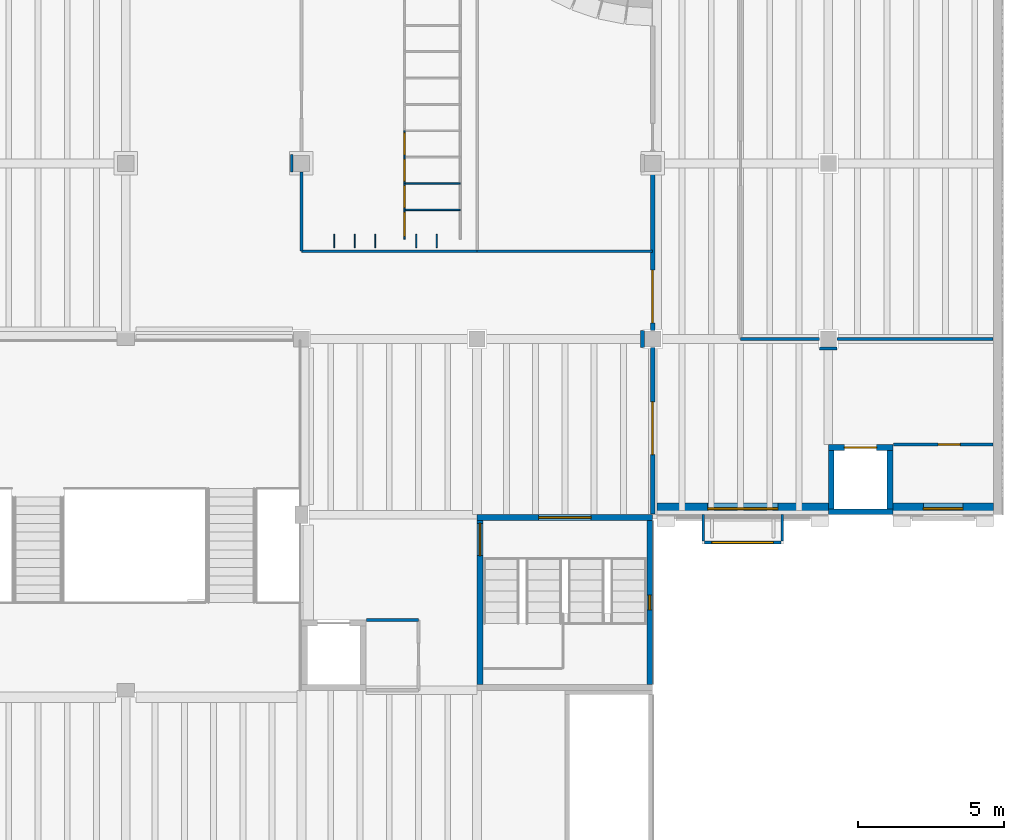
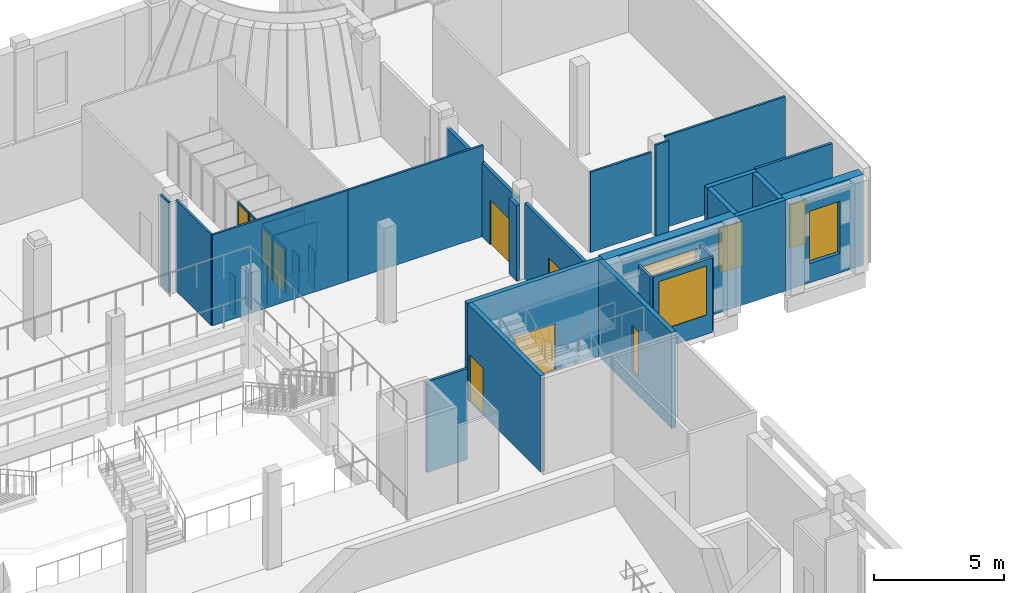
# One storey, part 33 of 70: 35 walls, 10 doors, 4 windows, 14 openings.
"""IFC4 building model written with IfcOpenShell, lengths in metres."""

from ifc_helpers import new_model, si_unit, direction, frame, frame_2d, origin, place, context, subcontext, project, spatial, rectangle, extrude, material, layer, layer_set, type_object, element, fill, save


model = new_model("IFC4")

# Units and contexts
model_context = context("Model", 3, precision=1e-05, world=origin(), true_north=direction((0.0, 1.0)))
body_context = subcontext(model_context, "Body", "Model", "MODEL_VIEW")
ifc_project = project(units=[si_unit("LENGTHUNIT", "METRE"), si_unit("AREAUNIT", "SQUARE_METRE"), si_unit("VOLUMEUNIT", "CUBIC_METRE"), si_unit("PLANEANGLEUNIT", "RADIAN"), si_unit("MASSUNIT", "GRAM", prefix="KILO")], contexts=[model_context])

# Site, building, storey
site_placement = place(None, origin())
site = spatial("IfcSite", under=ifc_project, at=site_placement, CompositionType="ELEMENT")
building_placement = place(site_placement, origin())
building = spatial("IfcBuilding", under=site, at=building_placement, Name="Saffron Lane Theatres", CompositionType="ELEMENT")
storey_placement = place(building_placement, frame((0.0, 0.0, 12.0)))
storey = spatial("IfcBuildingStorey", under=building, at=storey_placement, Name="L02", CompositionType="ELEMENT", Elevation=12.0)

# Walls
ifc_material_1 = material(Name="Timber hardwood", Category="wood")
ifc_layer_1 = layer(ifc_material_1, 0.10009765625)
ifc_layer_set_1 = layer_set([ifc_layer_1], Name="Timber hardwood")
wall_type_1 = type_object("IfcWallType", Name="EX-CUMBA PANEL 100", PredefinedType="SOLIDWALL", material=ifc_layer_set_1)
for number, where, z_axis, x_axis, name in (
    (1, (58.425048828125, 102.0, 0.0), (0.0, 0.0, 1.0), (0.0, -1.0, 0.0), "Cumba bay 4 side"),
    (2, (55.72509765625, 102.0, 0.0), (0.0, 0.0, 1.0), (0.0, -1.0, 0.0), "Cumba bay 4 side"),
):
    element("IfcWall", number, at=place(storey_placement, frame(where, z_axis=z_axis, x_axis=x_axis)), inside=storey, type_object=wall_type_1, Name=name, PredefinedType="SOLIDWALL", context=body_context, shape_type="SweptSolid", body=[
        extrude(rectangle(XDim=0.89990234375, YDim=0.10009765625, at=frame_2d((0.449951171875, 0.0))), origin(), (0.0, 0.0, 1.0), 3.5),
    ])

# Wall, opening, window
wall_1_placement = place(storey_placement, frame((58.375, 101.050048828125, 0.0), z_axis=(0.0, 0.0, 1.0), x_axis=(-1.0, 0.0, 0.0)))
wall_1 = element("IfcWall", 3, at=wall_1_placement, inside=storey, type_object=wall_type_1, Name="Cumba bay 4 front", PredefinedType="SOLIDWALL", context=body_context, shape_type="SweptSolid", body=[
    extrude(rectangle(XDim=2.60009765625, YDim=0.10009765625, at=frame_2d((1.300048828125, 0.0))), origin(), (0.0, 0.0, 1.0), 3.5),
])
opening_1_placement = place(wall_1_placement, frame((0.25, 0.0, 0.89990234375)))
opening_1 = element("IfcOpeningElement", 4, at=opening_1_placement, cuts=wall_1, Name="Opening WN02-040", PredefinedType="OPENING", context=body_context, shape_type="SweptSolid", body=[
    extrude(rectangle(XDim=2.10009765625, YDim=2.300048828125, at=frame_2d((1.050048828125, 1.14990234375))), frame((0.0, 0.06005859375, 0.0), z_axis=(0.0, -1.0, 0.0), x_axis=(1.0, 0.0, 0.0)), (0.0, 0.0, 1.0), 0.1201171875),
])
ifc_material_2 = material(Name="Aluminium", Category="aluminium")
window_type_1 = type_object("IfcWindowType", Name="EX-WINDOW 2100x2300", PartitioningType="TRIPLE_PANEL_VERTICAL", PredefinedType="WINDOW", material=ifc_material_2)
window_1_placement = place(opening_1_placement, origin())
window_1 = element("IfcWindow", 5, at=window_1_placement, inside=storey, type_object=window_type_1, Name="Window L02 CB4 front", OverallHeight=2.300048828125, OverallWidth=2.10009765625, PartitioningType="SINGLE_PANEL", PredefinedType="WINDOW", context=body_context, shape_type="SweptSolid", body=[
    extrude(rectangle(XDim=2.10009765625, YDim=2.300048828125, at=frame_2d((1.050048828125, 1.14990234375))), frame((0.0, 0.030029296875, 0.0), z_axis=(0.0, -1.0, 0.0), x_axis=(1.0, 0.0, 0.0)), (0.0, 0.0, 1.0), 0.06005859375),
])
fill(opening_1, window_1)

ifc_material_3 = material(Name="Masonry pale clay brick", Category="masonry")
ifc_layer_2 = layer(ifc_material_3, 0.11, Name="facing leaf")
ifc_material_4 = material(Name="Air cavity", Category="air")
ifc_layer_3 = layer(ifc_material_4, 0.05, ventilated=True, Name="cavity")
ifc_material_5 = material(Name="Mineral wool insulation")
ifc_layer_4 = layer(ifc_material_5, 0.06, Name="insulation")
ifc_material_6 = material(Name="Concrete N40 (40 MPa)", Category="concrete")
ifc_layer_5 = layer(ifc_material_6, 0.18, Name="inner leaf")
ifc_layer_set_2 = layer_set([ifc_layer_2, ifc_layer_3, ifc_layer_4, ifc_layer_5], Name="Masonry pale clay brick")
wall_type_2 = type_object("IfcWallType", Name="EX-WALL BRICK 400", PredefinedType="SOLIDWALL", material=ifc_layer_set_2)
wall_2_placement = place(storey_placement, frame((65.639892578125, 102.199951171875, 0.0), z_axis=(0.0, 0.0, 1.0), x_axis=(-1.0, 0.0, 0.0)))
wall_2 = element("IfcWall", 6, at=wall_2_placement, inside=storey, type_object=wall_type_2, Name="External wall L02 18", PredefinedType="SOLIDWALL", context=body_context, shape_type="SweptSolid", body=[
    extrude(rectangle(XDim=3.43994140625, YDim=0.39990234375, at=frame_2d((1.719970703125, 0.0))), origin(), (0.0, 0.0, 1.0), 4.25),
])
opening_2_placement = place(wall_2_placement, frame((1.044921875, 0.0, 0.89990234375)))
opening_2 = element("IfcOpeningElement", 7, at=opening_2_placement, cuts=wall_2, Name="Opening WN02-017", PredefinedType="OPENING", context=body_context, shape_type="SweptSolid", body=[
    extrude(rectangle(XDim=1.35009765625, YDim=2.449951171875, at=frame_2d((0.675048828125, 1.22509765625))), frame((0.0, 0.2099609375, 0.0), z_axis=(0.0, -1.0, 0.0), x_axis=(1.0, 0.0, 0.0)), (0.0, 0.0, 1.0), 0.419921875),
])
ifc_material_7 = material(Name="Aluminium", Category="aluminium")
window_type_2 = type_object("IfcWindowType", Name="EX-WINDOW 1350x2450", PartitioningType="SINGLE_PANEL", PredefinedType="WINDOW", material=ifc_material_7)
window_2_placement = place(opening_2_placement, origin())
window_2 = element("IfcWindow", 8, at=window_2_placement, inside=storey, type_object=window_type_2, Name="Window L02 017", OverallHeight=2.449951171875, OverallWidth=1.35009765625, PartitioningType="SINGLE_PANEL", PredefinedType="WINDOW", context=body_context, shape_type="SweptSolid", body=[
    extrude(rectangle(XDim=1.35009765625, YDim=2.449951171875, at=frame_2d((0.675048828125, 1.22509765625))), frame((0.0, 0.030029296875, 0.0), z_axis=(0.0, -1.0, 0.0), x_axis=(1.0, 0.0, 0.0)), (0.0, 0.0, 1.0), 0.06005859375),
])
fill(opening_2, window_2)

wall_3_placement = place(storey_placement, frame((60.0, 102.199951171875, 0.0), z_axis=(0.0, 0.0, 1.0), x_axis=(-1.0, 0.0, 0.0)))
wall_3 = element("IfcWall", 9, at=wall_3_placement, inside=storey, type_object=wall_type_2, Name="External wall L02 19", PredefinedType="SOLIDWALL", context=body_context, shape_type="SweptSolid", body=[
    extrude(rectangle(XDim=5.85009765625, YDim=0.39990234375, at=frame_2d((2.925048828125, 0.0))), origin(), (0.0, 0.0, 1.0), 4.25),
])
opening_3_placement = place(wall_3_placement, frame((1.72509765625, 0.0, 0.89990234375)))
opening_3 = element("IfcOpeningElement", 10, at=opening_3_placement, cuts=wall_3, Name="Opening WN02-039", PredefinedType="OPENING", context=body_context, shape_type="SweptSolid", body=[
    extrude(rectangle(XDim=2.39990234375, YDim=2.449951171875, at=frame_2d((1.199951171875, 1.22509765625))), frame((0.0, 0.2099609375, 0.0), z_axis=(0.0, -1.0, 0.0), x_axis=(1.0, 0.0, 0.0)), (0.0, 0.0, 1.0), 0.419921875),
])
ifc_material_8 = material(Name="Aluminium", Category="aluminium")
window_type_3 = type_object("IfcWindowType", Name="EX-WINDOW 2400x2450", PartitioningType="TRIPLE_PANEL_VERTICAL", PredefinedType="WINDOW", material=ifc_material_8)
window_3_placement = place(opening_3_placement, origin())
window_3 = element("IfcWindow", 11, at=window_3_placement, inside=storey, type_object=window_type_3, Name="Window L02 CB4", OverallHeight=2.449951171875, OverallWidth=2.39990234375, PartitioningType="SINGLE_PANEL", PredefinedType="WINDOW", context=body_context, shape_type="SweptSolid", body=[
    extrude(rectangle(XDim=2.39990234375, YDim=2.449951171875, at=frame_2d((1.199951171875, 1.22509765625))), frame((0.0, 0.030029296875, 0.0), z_axis=(0.0, -1.0, 0.0), x_axis=(1.0, 0.0, 0.0)), (0.0, 0.0, 1.0), 0.06005859375),
])
fill(opening_3, window_3)

# Wall
ifc_material_9 = material(Name="Masonry block partition", Category="masonry")
ifc_layer_6 = layer(ifc_material_9, 0.110107421875)
ifc_layer_set_3 = layer_set([ifc_layer_6], Name="Masonry block partition")
wall_type_3 = type_object("IfcWallType", Name="IN-BLOCK PARTITION 110", PredefinedType="PARTITIONING", material=ifc_layer_set_3)
wall_4_placement = place(storey_placement, frame((44.219970703125, 98.39990234375, 0.0), z_axis=(0.0, 0.0, 1.0), x_axis=(1.0, 0.0, 0.0)))
element("IfcWall", 12, at=wall_4_placement, inside=storey, type_object=wall_type_3, Name="PW-L02-011", PredefinedType="PARTITIONING", context=body_context, shape_type="SweptSolid", body=[
    extrude(rectangle(XDim=1.780029296875, YDim=0.110107421875, at=frame_2d((0.89013671875, 0.0))), origin(), (0.0, 0.0, 1.0), 4.25),
])

# Wall, opening, door
wall_5_placement = place(storey_placement, frame((62.219970703125, 104.39990234375, 0.0), z_axis=(0.0, 0.0, 1.0), x_axis=(1.0, 0.0, 0.0)))
wall_5 = element("IfcWall", 13, at=wall_5_placement, inside=storey, type_object=wall_type_3, Name="PW-L02-036", PredefinedType="PARTITIONING", context=body_context, shape_type="SweptSolid", body=[
    extrude(rectangle(XDim=3.400146484375, YDim=0.110107421875, at=frame_2d((1.7001953125, 0.0))), origin(), (0.0, 0.0, 1.0), 4.280029296875),
])
opening_4_placement = place(wall_5_placement, frame((1.530029296875, 0.0, 0.0)))
opening_4 = element("IfcOpeningElement", 14, at=opening_4_placement, cuts=wall_5, Name="Opening D02-40", PredefinedType="OPENING", context=body_context, shape_type="SweptSolid", body=[
    extrude(rectangle(XDim=0.75, YDim=2.0400390625, at=frame_2d((0.375, 1.02001953125))), frame((0.0, 0.06494140625, 0.0), z_axis=(0.0, -1.0, 0.0), x_axis=(1.0, 0.0, 0.0)), (0.0, 0.0, 1.0), 0.130126953125),
])
ifc_material_10 = material(Name="Steel faced fire door leaf", Category="steel")
door_type_1 = type_object("IfcDoorType", Name="IN-DOOR 750x2040 FD60", OperationType="NOTDEFINED", PredefinedType="DOOR", material=ifc_material_10)
door_1_placement = place(opening_4_placement, frame((0.75, 0.0, 0.0), z_axis=(0.0, 0.0, 1.0), x_axis=(-1.0, 0.0, 0.0)))
door_1 = element("IfcDoor", 15, at=door_1_placement, inside=storey, type_object=door_type_1, Name="D02-40", OperationType="SINGLE_SWING_RIGHT", OverallHeight=2.0400390625, OverallWidth=0.75, PredefinedType="DOOR", context=body_context, shape_type="SweptSolid", body=[
    extrude(rectangle(XDim=0.75, YDim=2.0400390625, at=frame_2d((0.375, 1.02001953125))), frame((0.0, 0.02490234375, 0.0), z_axis=(0.0, -1.0, 0.0), x_axis=(1.0, 0.0, 0.0)), (0.0, 0.0, 1.0), 0.050048828125),
])
fill(opening_4, door_1)

ifc_material_11 = material(Name="Masonry block partition", Category="masonry")
ifc_layer_7 = layer(ifc_material_11, 0.139892578125)
ifc_layer_set_4 = layer_set([ifc_layer_7], Name="Masonry block partition")
wall_type_4 = type_object("IfcWallType", Name="IN-BLOCK PARTITION 140", PredefinedType="PARTITIONING", material=ifc_layer_set_4)
wall_6_placement = place(storey_placement, frame((54.0, 102.02001953125, 0.0), z_axis=(0.0, 0.0, 1.0), x_axis=(0.0, 1.0, 0.0)))
wall_6 = element("IfcWall", 16, at=wall_6_placement, inside=storey, type_object=wall_type_4, Name="PW-L02-044", PredefinedType="PARTITIONING", context=body_context, shape_type="SweptSolid", body=[
    extrude(rectangle(XDim=5.68505859375, YDim=0.139892578125, at=frame_2d((2.842529296875, 0.0))), origin(), (0.0, 0.0, 1.0), 3.550048828125),
])
opening_5_placement = place(wall_6_placement, frame((2.030029296875, 0.0, 0.0)))
opening_5 = element("IfcOpeningElement", 17, at=opening_5_placement, cuts=wall_6, Name="Opening D02-46", PredefinedType="OPENING", context=body_context, shape_type="SweptSolid", body=[
    extrude(rectangle(XDim=1.800048828125, YDim=2.10009765625, at=frame_2d((0.89990234375, 1.050048828125))), frame((0.0, 0.080078125, 0.0), z_axis=(0.0, -1.0, 0.0), x_axis=(1.0, 0.0, 0.0)), (0.0, 0.0, 1.0), 0.159912109375),
])
ifc_material_12 = material(Name="Steel faced fire door leaf", Category="steel")
door_type_2 = type_object("IfcDoorType", Name="IN-DOOR 1800x2100 FD120", OperationType="DOUBLE_DOOR_SINGLE_SWING", PredefinedType="DOOR", material=ifc_material_12)
door_2_placement = place(opening_5_placement, origin())
door_2 = element("IfcDoor", 18, at=door_2_placement, inside=storey, type_object=door_type_2, Name="D02-46", OperationType="DOUBLE_DOOR_SINGLE_SWING", OverallHeight=2.10009765625, OverallWidth=1.800048828125, PredefinedType="DOOR", context=body_context, shape_type="SweptSolid", body=[
    extrude(rectangle(XDim=1.800048828125, YDim=2.10009765625, at=frame_2d((0.89990234375, 1.050048828125))), frame((0.0, 0.02490234375, 0.0), z_axis=(0.0, -1.0, 0.0), x_axis=(1.0, 0.0, 0.0)), (0.0, 0.0, 1.0), 0.050048828125),
])
fill(opening_5, door_2)

wall_7_placement = place(storey_placement, frame((54.0, 108.294921875, 0.0), z_axis=(0.0, 0.0, 1.0), x_axis=(0.0, 1.0, 0.0)))
wall_7 = element("IfcWall", 19, at=wall_7_placement, inside=storey, type_object=wall_type_4, Name="PW-L02-045", PredefinedType="PARTITIONING", context=body_context, shape_type="SweptSolid", body=[
    extrude(rectangle(XDim=5.41015625, YDim=0.139892578125, at=frame_2d((2.705078125, 0.0))), origin(), (0.0, 0.0, 1.0), 3.449951171875),
])
opening_6_placement = place(wall_7_placement, frame((0.2548828125, 0.0, 0.0)))
opening_6 = element("IfcOpeningElement", 20, at=opening_6_placement, cuts=wall_7, Name="Opening D02-47", PredefinedType="OPENING", context=body_context, shape_type="SweptSolid", body=[
    extrude(rectangle(XDim=1.800048828125, YDim=2.10009765625, at=frame_2d((0.89990234375, 1.050048828125))), frame((0.0, 0.080078125, 0.0), z_axis=(0.0, -1.0, 0.0), x_axis=(1.0, 0.0, 0.0)), (0.0, 0.0, 1.0), 0.159912109375),
])
door_3_placement = place(opening_6_placement, origin())
door_3 = element("IfcDoor", 21, at=door_3_placement, inside=storey, type_object=door_type_2, Name="D02-47", OperationType="DOUBLE_DOOR_SINGLE_SWING", OverallHeight=2.10009765625, OverallWidth=1.800048828125, PredefinedType="DOOR", context=body_context, shape_type="SweptSolid", body=[
    extrude(rectangle(XDim=1.800048828125, YDim=2.10009765625, at=frame_2d((0.89990234375, 1.050048828125))), frame((0.0, 0.02490234375, 0.0), z_axis=(0.0, -1.0, 0.0), x_axis=(1.0, 0.0, 0.0)), (0.0, 0.0, 1.0), 0.050048828125),
])
fill(opening_6, door_3)

# Walls
wall_8_placement = place(storey_placement, frame((53.64990234375, 107.705078125, 0.0), z_axis=(0.0, 0.0, 1.0), x_axis=(0.0, 1.0, 0.0)))
element("IfcWall", 22, at=wall_8_placement, inside=storey, type_object=wall_type_4, Name="PW-L02-047", PredefinedType="PARTITIONING", context=body_context, shape_type="SweptSolid", body=[
    extrude(rectangle(XDim=0.58984375, YDim=0.139892578125, at=frame_2d((0.294921875, 0.0))), origin(), (0.0, 0.0, 1.0), 3.550048828125),
])
ifc_material_13 = material(Name="Laminate cubicle panel")
ifc_layer_8 = layer(ifc_material_13, 0.050048828125)
ifc_layer_set_5 = layer_set([ifc_layer_8], Name="Laminate cubicle panel")
wall_type_5 = type_object("IfcWallType", Name="IN-CUBICLE PANEL 050", PredefinedType="PARTITIONING", material=ifc_layer_set_5)
for number, where, z_axis, x_axis, name in (
    (23, (45.52490234375, 112.4150390625, 0.0), (0.0, 0.0, 1.0), (1.0, 0.0, 0.0), "PW-L02-124"),
    (24, (45.52490234375, 113.31494140625, 0.0), (0.0, 0.0, 1.0), (1.0, 0.0, 0.0), "PW-L02-125"),
):
    element("IfcWall", number, at=place(storey_placement, frame(where, z_axis=z_axis, x_axis=x_axis)), inside=storey, type_object=wall_type_5, Name=name, PredefinedType="PARTITIONING", context=body_context, shape_type="SweptSolid", body=[
        extrude(rectangle(XDim=1.900146484375, YDim=0.050048828125, at=frame_2d((0.9501953125, 0.0))), origin(), (0.0, 0.0, 1.0), 2.10009765625),
    ])

# Wall, opening, door
wall_9_placement = place(storey_placement, frame((45.52490234375, 111.4150390625, 0.0), z_axis=(0.0, 0.0, 1.0), x_axis=(0.0, 1.0, 0.0)))
wall_9 = element("IfcWall", 25, at=wall_9_placement, inside=storey, type_object=wall_type_5, Name="PW-L02-133", PredefinedType="PARTITIONING", context=body_context, shape_type="SweptSolid", body=[
    extrude(rectangle(XDim=1.0, YDim=0.050048828125, at=frame_2d((0.5, 0.0))), origin(), (0.0, 0.0, 1.0), 2.10009765625),
])
opening_7_placement = place(wall_9_placement, frame((0.090087890625, 0.0, 0.0)))
opening_7 = element("IfcOpeningElement", 26, at=opening_7_placement, cuts=wall_9, Name="Opening D02-62", PredefinedType="OPENING", context=body_context, shape_type="SweptSolid", body=[
    extrude(rectangle(XDim=0.820068359375, YDim=2.0, at=frame_2d((0.41015625, 1.0))), frame((0.0, 0.03515625, 0.0), z_axis=(0.0, -1.0, 0.0), x_axis=(1.0, 0.0, 0.0)), (0.0, 0.0, 1.0), 0.070068359375),
])
ifc_material_14 = material(Name="Timber door leaf", Category="wood")
door_type_3 = type_object("IfcDoorType", Name="IN-DOOR 820x2000", OperationType="NOTDEFINED", PredefinedType="DOOR", material=ifc_material_14)
door_4_placement = place(opening_7_placement, frame((0.820068359375, 0.0, 0.0), z_axis=(0.0, 0.0, 1.0), x_axis=(-1.0, 0.0, 0.0)))
door_4 = element("IfcDoor", 27, at=door_4_placement, inside=storey, type_object=door_type_3, Name="D02-62", OperationType="SINGLE_SWING_RIGHT", OverallHeight=2.0, OverallWidth=0.820068359375, PredefinedType="DOOR", context=body_context, shape_type="SweptSolid", body=[
    extrude(rectangle(XDim=0.820068359375, YDim=2.0, at=frame_2d((0.41015625, 1.0))), frame((0.0, 0.02490234375, 0.0), z_axis=(0.0, -1.0, 0.0), x_axis=(1.0, 0.0, 0.0)), (0.0, 0.0, 1.0), 0.049560546875),
])
fill(opening_7, door_4)

wall_10_placement = place(storey_placement, frame((45.52490234375, 112.4150390625, 0.0), z_axis=(0.0, 0.0, 1.0), x_axis=(0.0, 1.0, 0.0)))
wall_10 = element("IfcWall", 28, at=wall_10_placement, inside=storey, type_object=wall_type_5, Name="PW-L02-134", PredefinedType="PARTITIONING", context=body_context, shape_type="SweptSolid", body=[
    extrude(rectangle(XDim=0.89990234375, YDim=0.050048828125, at=frame_2d((0.449951171875, 0.0))), origin(), (0.0, 0.0, 1.0), 2.10009765625),
])
opening_8_placement = place(wall_10_placement, frame((0.074951171875, 0.0, 0.0)))
opening_8 = element("IfcOpeningElement", 29, at=opening_8_placement, cuts=wall_10, Name="Opening D02-63", PredefinedType="OPENING", context=body_context, shape_type="SweptSolid", body=[
    extrude(rectangle(XDim=0.75, YDim=2.0, at=frame_2d((0.375, 1.0))), frame((0.0, 0.03515625, 0.0), z_axis=(0.0, -1.0, 0.0), x_axis=(1.0, 0.0, 0.0)), (0.0, 0.0, 1.0), 0.070068359375),
])
ifc_material_15 = material(Name="Timber door leaf", Category="wood")
door_type_4 = type_object("IfcDoorType", Name="IN-DOOR 750x2000", OperationType="NOTDEFINED", PredefinedType="DOOR", material=ifc_material_15)
door_5_placement = place(opening_8_placement, frame((0.75, 0.0, 0.0), z_axis=(0.0, 0.0, 1.0), x_axis=(-1.0, 0.0, 0.0)))
door_5 = element("IfcDoor", 30, at=door_5_placement, inside=storey, type_object=door_type_4, Name="D02-63", OperationType="SINGLE_SWING_LEFT", OverallHeight=2.0, OverallWidth=0.75, PredefinedType="DOOR", context=body_context, shape_type="SweptSolid", body=[
    extrude(rectangle(XDim=0.75, YDim=2.0, at=frame_2d((0.375, 1.0))), frame((0.0, 0.02490234375, 0.0), z_axis=(0.0, -1.0, 0.0), x_axis=(1.0, 0.0, 0.0)), (0.0, 0.0, 1.0), 0.049560546875),
])
fill(opening_8, door_5)

wall_11_placement = place(storey_placement, frame((45.52490234375, 113.31494140625, 0.0), z_axis=(0.0, 0.0, 1.0), x_axis=(0.0, 1.0, 0.0)))
wall_11 = element("IfcWall", 31, at=wall_11_placement, inside=storey, type_object=wall_type_5, Name="PW-L02-135", PredefinedType="PARTITIONING", context=body_context, shape_type="SweptSolid", body=[
    extrude(rectangle(XDim=0.900146484375, YDim=0.050048828125, at=frame_2d((0.4501953125, 0.0))), origin(), (0.0, 0.0, 1.0), 2.10009765625),
])
opening_9_placement = place(wall_11_placement, frame((0.074951171875, 0.0, 0.0)))
opening_9 = element("IfcOpeningElement", 32, at=opening_9_placement, cuts=wall_11, Name="Opening D02-64", PredefinedType="OPENING", context=body_context, shape_type="SweptSolid", body=[
    extrude(rectangle(XDim=0.75, YDim=2.0, at=frame_2d((0.375, 1.0))), frame((0.0, 0.03515625, 0.0), z_axis=(0.0, -1.0, 0.0), x_axis=(1.0, 0.0, 0.0)), (0.0, 0.0, 1.0), 0.070068359375),
])
door_6_placement = place(opening_9_placement, frame((0.75, 0.0, 0.0), z_axis=(0.0, 0.0, 1.0), x_axis=(-1.0, 0.0, 0.0)))
door_6 = element("IfcDoor", 33, at=door_6_placement, inside=storey, type_object=door_type_4, Name="D02-64", OperationType="SINGLE_SWING_RIGHT", OverallHeight=2.0, OverallWidth=0.75, PredefinedType="DOOR", context=body_context, shape_type="SweptSolid", body=[
    extrude(rectangle(XDim=0.75, YDim=2.0, at=frame_2d((0.375, 1.0))), frame((0.0, 0.02490234375, 0.0), z_axis=(0.0, -1.0, 0.0), x_axis=(1.0, 0.0, 0.0)), (0.0, 0.0, 1.0), 0.049560546875),
])
fill(opening_9, door_6)

wall_12_placement = place(storey_placement, frame((45.52490234375, 114.215087890625, 0.0), z_axis=(0.0, 0.0, 1.0), x_axis=(0.0, 1.0, 0.0)))
wall_12 = element("IfcWall", 34, at=wall_12_placement, inside=storey, type_object=wall_type_5, Name="PW-L02-136", PredefinedType="PARTITIONING", context=body_context, shape_type="SweptSolid", body=[
    extrude(rectangle(XDim=0.89990234375, YDim=0.050048828125, at=frame_2d((0.449951171875, 0.0))), origin(), (0.0, 0.0, 1.0), 2.10009765625),
])
opening_10_placement = place(wall_12_placement, frame((0.074951171875, 0.0, 0.0)))
opening_10 = element("IfcOpeningElement", 35, at=opening_10_placement, cuts=wall_12, Name="Opening D02-65", PredefinedType="OPENING", context=body_context, shape_type="SweptSolid", body=[
    extrude(rectangle(XDim=0.75, YDim=2.0, at=frame_2d((0.375, 1.0))), frame((0.0, 0.03515625, 0.0), z_axis=(0.0, -1.0, 0.0), x_axis=(1.0, 0.0, 0.0)), (0.0, 0.0, 1.0), 0.070068359375),
])
door_7_placement = place(opening_10_placement, frame((0.75, 0.0, 0.0), z_axis=(0.0, 0.0, 1.0), x_axis=(-1.0, 0.0, 0.0)))
door_7 = element("IfcDoor", 36, at=door_7_placement, inside=storey, type_object=door_type_4, Name="D02-65", OperationType="SINGLE_SWING_LEFT", OverallHeight=2.0, OverallWidth=0.75, PredefinedType="DOOR", context=body_context, shape_type="SweptSolid", body=[
    extrude(rectangle(XDim=0.75, YDim=2.0, at=frame_2d((0.375, 1.0))), frame((0.0, 0.02490234375, 0.0), z_axis=(0.0, -1.0, 0.0), x_axis=(1.0, 0.0, 0.0)), (0.0, 0.0, 1.0), 0.049560546875),
])
fill(opening_10, door_7)

# Walls
ifc_material_16 = material(Name="Plasterboard on 90 mm steel studs", Category="steel")
ifc_layer_9 = layer(ifc_material_16, 0.090087890625)
ifc_layer_set_6 = layer_set([ifc_layer_9], Name="Plasterboard on 90 mm steel studs")
wall_type_6 = type_object("IfcWallType", Name="IN-STUD PARTITION 090", PredefinedType="PARTITIONING", material=ifc_layer_set_6)
wall_13_placement = place(storey_placement, frame((42.0, 111.0, 0.0), z_axis=(0.0, 0.0, 1.0), x_axis=(1.0, 0.0, 0.0)))
element("IfcWall", 37, at=wall_13_placement, inside=storey, type_object=wall_type_6, Name="PW-L02-069", PredefinedType="PARTITIONING", context=body_context, shape_type="SweptSolid", body=[
    extrude(rectangle(XDim=6.0, YDim=0.090087890625, at=frame_2d((3.0, 0.0))), origin(), (0.0, 0.0, 1.0), 4.25),
])
wall_14_placement = place(storey_placement, frame((42.0, 111.0, 0.0), z_axis=(0.0, 0.0, 1.0), x_axis=(0.0, 1.0, 0.0)))
element("IfcWall", 38, at=wall_14_placement, inside=storey, type_object=wall_type_6, Name="PW-L02-070", PredefinedType="PARTITIONING", context=body_context, shape_type="SweptSolid", body=[
    extrude(rectangle(XDim=2.705078125, YDim=0.090087890625, at=frame_2d((1.3525390625, 0.0))), origin(), (0.0, 0.0, 1.0), 4.25),
])
wall_15_placement = place(storey_placement, frame((41.675048828125, 113.705078125, 0.0), z_axis=(0.0, 0.0, 1.0), x_axis=(0.0, 1.0, 0.0)))
element("IfcWall", 39, at=wall_15_placement, inside=storey, type_object=wall_type_6, Name="PW-L02-072", PredefinedType="PARTITIONING", context=body_context, shape_type="SweptSolid", body=[
    extrude(rectangle(XDim=0.58984375, YDim=0.090087890625, at=frame_2d((0.294921875, 0.0))), origin(), (0.0, 0.0, 1.0), 4.25),
])
wall_16_placement = place(storey_placement, frame((48.0, 111.0, 0.0), z_axis=(0.0, 0.0, 1.0), x_axis=(1.0, 0.0, 0.0)))
element("IfcWall", 40, at=wall_16_placement, inside=storey, type_object=wall_type_6, Name="PW-L02-073", PredefinedType="PARTITIONING", context=body_context, shape_type="SweptSolid", body=[
    extrude(rectangle(XDim=6.0, YDim=0.090087890625, at=frame_2d((3.0, 0.0))), origin(), (0.0, 0.0, 1.0), 4.25),
])
wall_17_placement = place(storey_placement, frame((57.0, 108.0, 0.0), z_axis=(0.0, 0.0, 1.0), x_axis=(1.0, 0.0, 0.0)))
element("IfcWall", 41, at=wall_17_placement, inside=storey, type_object=wall_type_6, Name="PW-L02-083", PredefinedType="PARTITIONING", context=body_context, shape_type="SweptSolid", body=[
    extrude(rectangle(XDim=2.705078125, YDim=0.090087890625, at=frame_2d((1.3525390625, 0.0))), origin(), (0.0, 0.0, 1.0), 3.75),
])
wall_18_placement = place(storey_placement, frame((60.294921875, 108.0, 0.0), z_axis=(0.0, 0.0, 1.0), x_axis=(1.0, 0.0, 0.0)))
element("IfcWall", 42, at=wall_18_placement, inside=storey, type_object=wall_type_6, Name="PW-L02-084", PredefinedType="PARTITIONING", context=body_context, shape_type="SweptSolid", body=[
    extrude(rectangle(XDim=5.3251953125, YDim=0.090087890625, at=frame_2d((2.66259765625, 0.0))), origin(), (0.0, 0.0, 1.0), 4.280029296875),
])
wall_19_placement = place(storey_placement, frame((59.705078125, 107.675048828125, 0.0), z_axis=(0.0, 0.0, 1.0), x_axis=(1.0, 0.0, 0.0)))
element("IfcWall", 43, at=wall_19_placement, inside=storey, type_object=wall_type_6, Name="PW-L02-085", PredefinedType="PARTITIONING", context=body_context, shape_type="SweptSolid", body=[
    extrude(rectangle(XDim=0.58984375, YDim=0.090087890625, at=frame_2d((0.294921875, 0.0))), origin(), (0.0, 0.0, 1.0), 4.280029296875),
])
ifc_material_17 = material(Name="Laminate screen panel")
ifc_layer_10 = layer(ifc_material_17, 0.0400390625)
ifc_layer_set_7 = layer_set([ifc_layer_10], Name="Laminate screen panel")
wall_type_7 = type_object("IfcWallType", Name="IN-URINAL SCREEN 040", PredefinedType="PARTITIONING", material=ifc_layer_set_7)
for number, where, z_axis, x_axis, name in (
    (44, (43.125, 111.125, 0.0), (0.0, 0.0, 1.0), (0.0, 1.0, 0.0), "PW-L02-143"),
    (45, (43.824951171875, 111.125, 0.0), (0.0, 0.0, 1.0), (0.0, 1.0, 0.0), "PW-L02-144"),
    (46, (44.52490234375, 111.125, 0.0), (0.0, 0.0, 1.0), (0.0, 1.0, 0.0), "PW-L02-145"),
    (47, (45.925048828125, 111.125, 0.0), (0.0, 0.0, 1.0), (0.0, 1.0, 0.0), "PW-L02-146"),
    (48, (46.625, 111.125, 0.0), (0.0, 0.0, 1.0), (0.0, 1.0, 0.0), "PW-L02-147"),
):
    element("IfcWall", number, at=place(storey_placement, frame(where, z_axis=z_axis, x_axis=x_axis)), inside=storey, type_object=wall_type_7, Name=name, PredefinedType="PARTITIONING", context=body_context, shape_type="SweptSolid", body=[
        extrude(rectangle(XDim=0.449951171875, YDim=0.0400390625, at=frame_2d((0.22509765625, 0.0))), origin(), (0.0, 0.0, 1.0), 1.800048828125),
    ])

# Wall, opening, door
ifc_material_18 = material(Name="Concrete N50 (50 MPa)", Category="concrete")
ifc_layer_11 = layer(ifc_material_18, 0.199951171875)
ifc_layer_set_8 = layer_set([ifc_layer_11], Name="Concrete N50 (50 MPa)")
wall_type_8 = type_object("IfcWallType", Name="RC-CORE 200", PredefinedType="SHEAR", material=ifc_layer_set_8)
wall_20_placement = place(storey_placement, frame((48.0, 101.89990234375, 0.0), z_axis=(0.0, 0.0, 1.0), x_axis=(1.0, 0.0, 0.0)))
wall_20 = element("IfcWall", 49, at=wall_20_placement, inside=storey, type_object=wall_type_8, Name="W-ST2-N-L02", PredefinedType="SHEAR", context=body_context, shape_type="SweptSolid", body=[
    extrude(rectangle(XDim=6.0, YDim=0.199951171875, at=frame_2d((3.0, 0.0))), origin(), (0.0, 0.0, 1.0), 4.5),
])
opening_11_placement = place(wall_20_placement, frame((2.10009765625, 0.0, 0.0)))
opening_11 = element("IfcOpeningElement", 50, at=opening_11_placement, cuts=wall_20, Name="Opening D02-16", PredefinedType="OPENING", context=body_context, shape_type="SweptSolid", body=[
    extrude(rectangle(XDim=1.800048828125, YDim=2.199951171875, at=frame_2d((0.89990234375, 1.10009765625))), frame((0.0, 0.10986328125, 0.0), z_axis=(0.0, -1.0, 0.0), x_axis=(1.0, 0.0, 0.0)), (0.0, 0.0, 1.0), 0.219970703125),
])
ifc_material_19 = material(Name="Steel faced fire door leaf", Category="steel")
door_type_5 = type_object("IfcDoorType", Name="IN-DOOR 1800x2200 FD120", OperationType="DOUBLE_DOOR_SINGLE_SWING", PredefinedType="DOOR", material=ifc_material_19)
door_8_placement = place(opening_11_placement, frame((1.800048828125, 0.0, 0.0), z_axis=(0.0, 0.0, 1.0), x_axis=(-1.0, 0.0, 0.0)))
door_8 = element("IfcDoor", 51, at=door_8_placement, inside=storey, type_object=door_type_5, Name="D02-16", OperationType="DOUBLE_DOOR_SINGLE_SWING", OverallHeight=2.199951171875, OverallWidth=1.800048828125, PredefinedType="DOOR", context=body_context, shape_type="SweptSolid", body=[
    extrude(rectangle(XDim=1.800048828125, YDim=2.199951171875, at=frame_2d((0.89990234375, 1.10009765625))), frame((0.0, 0.02490234375, 0.0), z_axis=(0.0, -1.0, 0.0), x_axis=(1.0, 0.0, 0.0)), (0.0, 0.0, 1.0), 0.050048828125),
])
fill(opening_11, door_8)

wall_21_placement = place(storey_placement, frame((48.10009765625, 96.199951171875, 0.0), z_axis=(0.0, 0.0, 1.0), x_axis=(0.0, 1.0, 0.0)))
wall_21 = element("IfcWall", 52, at=wall_21_placement, inside=storey, type_object=wall_type_8, Name="W-ST2-W-L02", PredefinedType="SHEAR", context=body_context, shape_type="SweptSolid", body=[
    extrude(rectangle(XDim=5.60009765625, YDim=0.199951171875, at=frame_2d((2.800048828125, 0.0))), origin(), (0.0, 0.0, 1.0), 4.5),
])
opening_12_placement = place(wall_21_placement, frame((4.39990234375, 0.0, 0.0)))
opening_12 = element("IfcOpeningElement", 53, at=opening_12_placement, cuts=wall_21, Name="Opening D02-17", PredefinedType="OPENING", context=body_context, shape_type="SweptSolid", body=[
    extrude(rectangle(XDim=1.10009765625, YDim=2.199951171875, at=frame_2d((0.550048828125, 1.10009765625))), frame((0.0, 0.10986328125, 0.0), z_axis=(0.0, -1.0, 0.0), x_axis=(1.0, 0.0, 0.0)), (0.0, 0.0, 1.0), 0.219970703125),
])
ifc_material_20 = material(Name="Steel faced fire door leaf", Category="steel")
door_type_6 = type_object("IfcDoorType", Name="IN-DOOR 1100x2200 FD120", OperationType="NOTDEFINED", PredefinedType="DOOR", material=ifc_material_20)
door_9_placement = place(opening_12_placement, frame((1.10009765625, 0.0, 0.0), z_axis=(0.0, 0.0, 1.0), x_axis=(-1.0, 0.0, 0.0)))
door_9 = element("IfcDoor", 54, at=door_9_placement, inside=storey, type_object=door_type_6, Name="D02-17", OperationType="SINGLE_SWING_RIGHT", OverallHeight=2.199951171875, OverallWidth=1.10009765625, PredefinedType="DOOR", context=body_context, shape_type="SweptSolid", body=[
    extrude(rectangle(XDim=1.10009765625, YDim=2.199951171875, at=frame_2d((0.550048828125, 1.10009765625))), frame((0.0, 0.02490234375, 0.0), z_axis=(0.0, -1.0, 0.0), x_axis=(1.0, 0.0, 0.0)), (0.0, 0.0, 1.0), 0.050048828125),
])
fill(opening_12, door_9)

wall_22_placement = place(storey_placement, frame((60.0, 104.300048828125, 0.0), z_axis=(0.0, 0.0, 1.0), x_axis=(1.0, 0.0, 0.0)))
wall_22 = element("IfcWall", 55, at=wall_22_placement, inside=storey, type_object=wall_type_8, Name="W-LC8-N-L02", PredefinedType="SHEAR", context=body_context, shape_type="SweptSolid", body=[
    extrude(rectangle(XDim=2.199951171875, YDim=0.199951171875, at=frame_2d((1.10009765625, 0.0))), origin(), (0.0, 0.0, 1.0), 4.25),
])
opening_13_placement = place(wall_22_placement, frame((0.550048828125, 0.0, 0.0)))
opening_13 = element("IfcOpeningElement", 56, at=opening_13_placement, cuts=wall_22, Name="Opening LD28", PredefinedType="OPENING", context=body_context, shape_type="SweptSolid", body=[
    extrude(rectangle(XDim=1.10009765625, YDim=2.10009765625, at=frame_2d((0.550048828125, 1.050048828125))), frame((0.0, 0.10986328125, 0.0), z_axis=(0.0, -1.0, 0.0), x_axis=(1.0, 0.0, 0.0)), (0.0, 0.0, 1.0), 0.219970703125),
])
ifc_material_21 = material(Name="Stainless steel 316", Category="steel")
door_type_7 = type_object("IfcDoorType", Name="VC-LANDING DOOR 1100x2100", OperationType="DOUBLE_DOOR_SLIDING", PredefinedType="DOOR", material=ifc_material_21)
door_10_placement = place(opening_13_placement, origin())
door_10 = element("IfcDoor", 57, at=door_10_placement, inside=storey, type_object=door_type_7, Name="Landing doors LC8 L02", OperationType="DOUBLE_DOOR_SLIDING", OverallHeight=2.10009765625, OverallWidth=1.10009765625, PredefinedType="DOOR", context=body_context, shape_type="SweptSolid", body=[
    extrude(rectangle(XDim=1.10009765625, YDim=2.10009765625, at=frame_2d((0.550048828125, 1.050048828125))), frame((0.0, 0.02490234375, 0.0), z_axis=(0.0, -1.0, 0.0), x_axis=(1.0, 0.0, 0.0)), (0.0, 0.0, 1.0), 0.050048828125),
])
fill(opening_13, door_10)

# Walls
for number, where, z_axis, x_axis, name in (
    (58, (60.10009765625, 102.199951171875, 0.0), (0.0, 0.0, 1.0), (0.0, 1.0, 0.0), "W-LC8-W-L02"),
    (59, (62.10009765625, 102.199951171875, 0.0), (0.0, 0.0, 1.0), (0.0, 1.0, 0.0), "W-LC8-E-L02"),
):
    element("IfcWall", number, at=place(storey_placement, frame(where, z_axis=z_axis, x_axis=x_axis)), inside=storey, type_object=wall_type_8, Name=name, PredefinedType="SHEAR", context=body_context, shape_type="SweptSolid", body=[
        extrude(rectangle(XDim=2.0, YDim=0.199951171875, at=frame_2d((1.0, 0.0))), origin(), (0.0, 0.0, 1.0), 4.25),
    ])

# Wall, opening, window
ifc_material_22 = material(Name="Concrete N50 (50 MPa)", Category="concrete")
ifc_layer_12 = layer(ifc_material_22, 0.199951171875)
ifc_layer_set_9 = layer_set([ifc_layer_12], Name="Concrete N50 (50 MPa)")
wall_type_9 = type_object("IfcWallType", Name="RC-CORE EXTERNAL 200", PredefinedType="SHEAR", material=ifc_layer_set_9)
wall_23_placement = place(storey_placement, frame((53.89990234375, 96.199951171875, 0.0), z_axis=(0.0, 0.0, 1.0), x_axis=(0.0, 1.0, 0.0)))
wall_23 = element("IfcWall", 60, at=wall_23_placement, inside=storey, type_object=wall_type_9, Name="W-ST2-E-L02", PredefinedType="SHEAR", context=body_context, shape_type="SweptSolid", body=[
    extrude(rectangle(XDim=5.60009765625, YDim=0.199951171875, at=frame_2d((2.800048828125, 0.0))), origin(), (0.0, 0.0, 1.0), 4.5),
])
opening_14_placement = place(wall_23_placement, frame((2.550048828125, 0.0, 0.89990234375)))
opening_14 = element("IfcOpeningElement", 61, at=opening_14_placement, cuts=wall_23, Name="Opening WN02-028", PredefinedType="OPENING", context=body_context, shape_type="SweptSolid", body=[
    extrude(rectangle(XDim=0.5, YDim=2.10009765625, at=frame_2d((0.25, 1.050048828125))), frame((0.0, 0.10986328125, 0.0), z_axis=(0.0, -1.0, 0.0), x_axis=(1.0, 0.0, 0.0)), (0.0, 0.0, 1.0), 0.219970703125),
])
ifc_material_23 = material(Name="Aluminium", Category="aluminium")
window_type_4 = type_object("IfcWindowType", Name="EX-WINDOW 500x2100", PartitioningType="SINGLE_PANEL", PredefinedType="WINDOW", material=ifc_material_23)
window_4_placement = place(opening_14_placement, origin())
window_4 = element("IfcWindow", 62, at=window_4_placement, inside=storey, type_object=window_type_4, Name="Stair light ST2 L02", OverallHeight=2.10009765625, OverallWidth=0.5, PartitioningType="SINGLE_PANEL", PredefinedType="WINDOW", context=body_context, shape_type="SweptSolid", body=[
    extrude(rectangle(XDim=0.5, YDim=2.10009765625, at=frame_2d((0.25, 1.050048828125))), frame((0.0, 0.030029296875, 0.0), z_axis=(0.0, -1.0, 0.0), x_axis=(1.0, 0.0, 0.0)), (0.0, 0.0, 1.0), 0.06005859375),
])
fill(opening_14, window_4)

# Wall
wall_24_placement = place(storey_placement, frame((60.0, 102.10009765625, 0.0), z_axis=(0.0, 0.0, 1.0), x_axis=(1.0, 0.0, 0.0)))
element("IfcWall", 63, at=wall_24_placement, inside=storey, type_object=wall_type_9, Name="W-LC8-S-L02", PredefinedType="SHEAR", context=body_context, shape_type="SweptSolid", body=[
    extrude(rectangle(XDim=2.199951171875, YDim=0.199951171875, at=frame_2d((1.10009765625, 0.0))), origin(), (0.0, 0.0, 1.0), 4.25),
])

save(model, "model.ifc")
